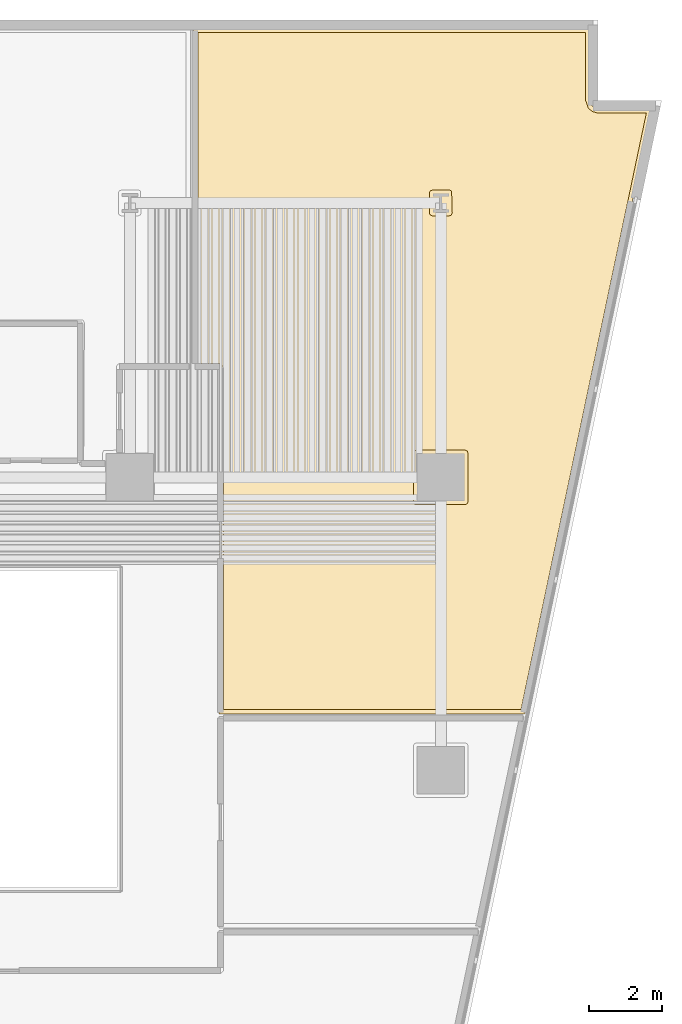
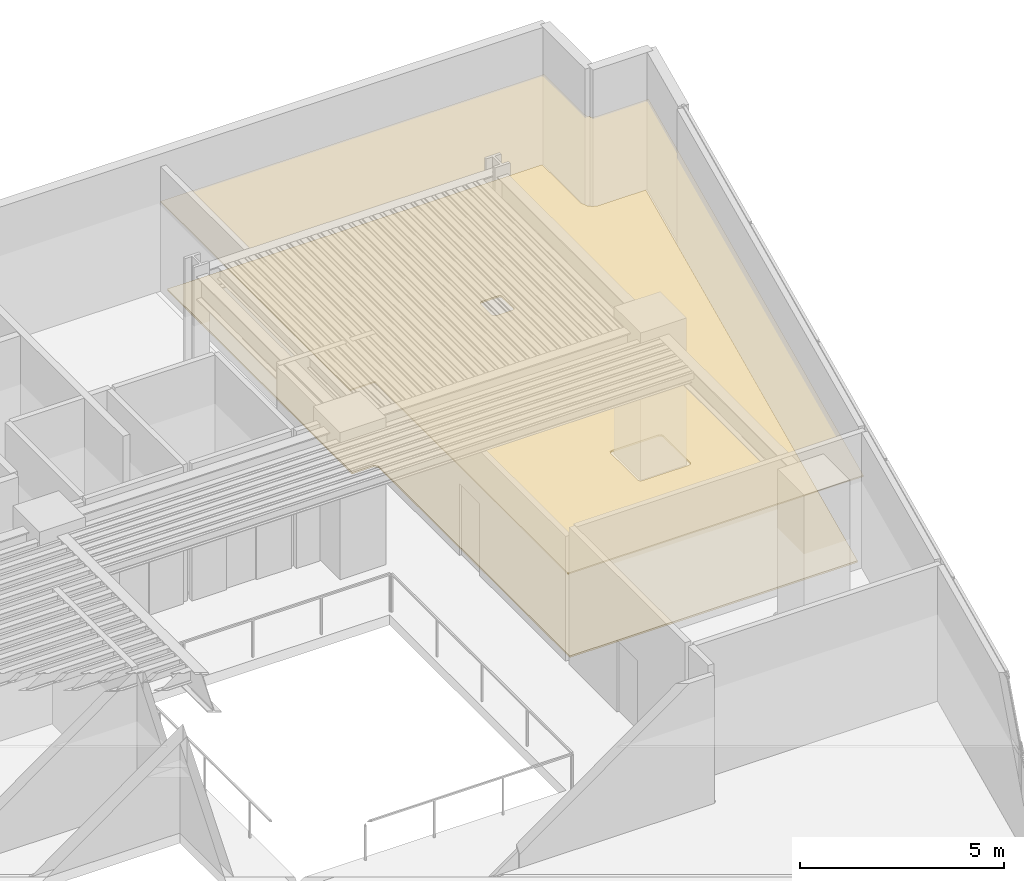
# One storey, part 12 of 12: 2 coverings.
"""IFC4 building model written with IfcOpenShell, lengths in metres."""

from ifc_helpers import new_model, si_unit, direction, frame, origin, place, context, subcontext, project, spatial, polyline, outline, extrude, material, layer, layer_set, type_object, element, save


model = new_model("IFC4")

# Units and contexts
model_context = context("Model", 3, precision=1e-05, world=origin(), true_north=direction((0.0, 1.0)))
body_context = subcontext(model_context, "Body", "Model", "MODEL_VIEW")
ifc_project = project(units=[si_unit("LENGTHUNIT", "METRE"), si_unit("AREAUNIT", "SQUARE_METRE"), si_unit("VOLUMEUNIT", "CUBIC_METRE"), si_unit("PLANEANGLEUNIT", "RADIAN"), si_unit("MASSUNIT", "GRAM", prefix="KILO")], contexts=[model_context])

# Site, building, storey
site_placement = place(None, origin())
site = spatial("IfcSite", under=ifc_project, at=site_placement, CompositionType="ELEMENT")
building_placement = place(site_placement, origin())
building = spatial("IfcBuilding", under=site, at=building_placement, Name="Caeloran Harvest Quay", CompositionType="ELEMENT")
storey_placement = place(building_placement, frame((0.0, 0.0, 71.0)))
storey = spatial("IfcBuildingStorey", under=building, at=storey_placement, Name="L16", CompositionType="ELEMENT", Elevation=71.0)

# Coverings
ifc_material_1 = material(Name="Perforated Mineral-Fibre Acoustic Ceiling Tile", Category="ceiling")
ifc_layer_1 = layer(ifc_material_1, 0.0400390625, Name="Perforated Mineral-Fibre Acoustic Ceiling Tile")
ifc_layer_set_1 = layer_set([ifc_layer_1], Name="Perforated Mineral-Fibre Acoustic Ceiling Tile")
covering_type_1 = type_object("IfcCoveringType", Name="COV-CEILING-ACOUSTIC", PredefinedType="CEILING", material=ifc_layer_set_1)
covering_1_placement = place(storey_placement, frame((0.0, 0.0, 2.60009765625)))
element("IfcCovering", 1, at=covering_1_placement, inside=storey, type_object=covering_type_1, Name="Medicinal Plant Aeroponic Room 10 Acoustic Ceiling", PredefinedType="CEILING", context=body_context, shape_type="SweptSolid", body=[
    extrude(outline(polyline([(44.239990234375, 43.280029296875), (55.080078125, 43.280029296875), (55.080078125, 41.301025390625), (55.089599609375, 41.236083984375), (55.1298828125, 41.160400390625), (55.1962890625, 41.10595703125), (55.2783203125, 41.0810546875), (56.766845703125, 41.080078125), (53.292236328125, 24.5400390625), (44.93994140625, 24.5400390625), (44.93994140625, 33.989990234375), (44.239990234375, 33.989990234375), (44.239990234375, 43.280029296875)])), origin(), (0.0, 0.0, 1.0), 0.039794921875),
])
ifc_material_2 = material(Name="Calcium-Sulphate Raised Access Floor and Terrazzo Finish", Category="flooring")
ifc_layer_2 = layer(ifc_material_2, 0.050048828125, Name="Calcium-Sulphate Raised Access Floor and Terrazzo Finish")
ifc_layer_set_2 = layer_set([ifc_layer_2], Name="Calcium-Sulphate Raised Access Floor and Terrazzo Finish")
covering_type_2 = type_object("IfcCoveringType", Name="COV-FLOOR-RAISED", PredefinedType="FLOORING", material=ifc_layer_set_2)
covering_2_placement = place(storey_placement, origin())
element("IfcCovering", 2, at=covering_2_placement, inside=storey, type_object=covering_type_2, Name="Medicinal Plant Aeroponic Room 10 Raised Finish Flooring", PredefinedType="FLOORING", context=body_context, shape_type="SweptSolid", body=[
    extrude(outline(polyline([(45.056396484375, 34.028076171875), (44.964599609375, 34.10888671875), (44.360107421875, 34.110107421875), (44.360107421875, 43.159912109375), (54.9599609375, 43.159912109375), (54.960205078125, 41.296142578125), (55.034912109375, 41.08740234375), (55.143310546875, 40.998291015625), (55.2705078125, 40.961181640625), (56.618896484375, 40.9599609375), (53.19482421875, 24.659912109375), (45.06005859375, 24.659912109375), (45.056396484375, 34.028076171875)]), holes=[polyline([(51.7451171875, 31.6650390625), (51.7216796875, 31.7216796875), (51.6650390625, 31.7451171875), (50.3349609375, 31.7451171875), (50.2783203125, 31.7216796875), (50.2548828125, 31.6650390625), (50.2548828125, 30.3349609375), (50.2783203125, 30.2783203125), (50.3349609375, 30.2548828125), (51.6650390625, 30.2548828125), (51.7216796875, 30.2783203125), (51.7451171875, 30.3349609375), (51.7451171875, 31.6650390625)]), polyline([(51.3134765625, 38.22802734375), (51.29541015625, 38.82275390625), (51.2412109375, 38.8515625), (50.7666015625, 38.85205078125), (50.7099609375, 38.82861328125), (50.6865234375, 38.77197265625), (50.6865234375, 38.22802734375), (50.7099609375, 38.17138671875), (50.7666015625, 38.14794921875), (51.2333984375, 38.14794921875), (51.2900390625, 38.17138671875), (51.3134765625, 38.22802734375)])]), origin(), (0.0, 0.0, 1.0), 0.050048828125),
])

save(model, "model.ifc")
